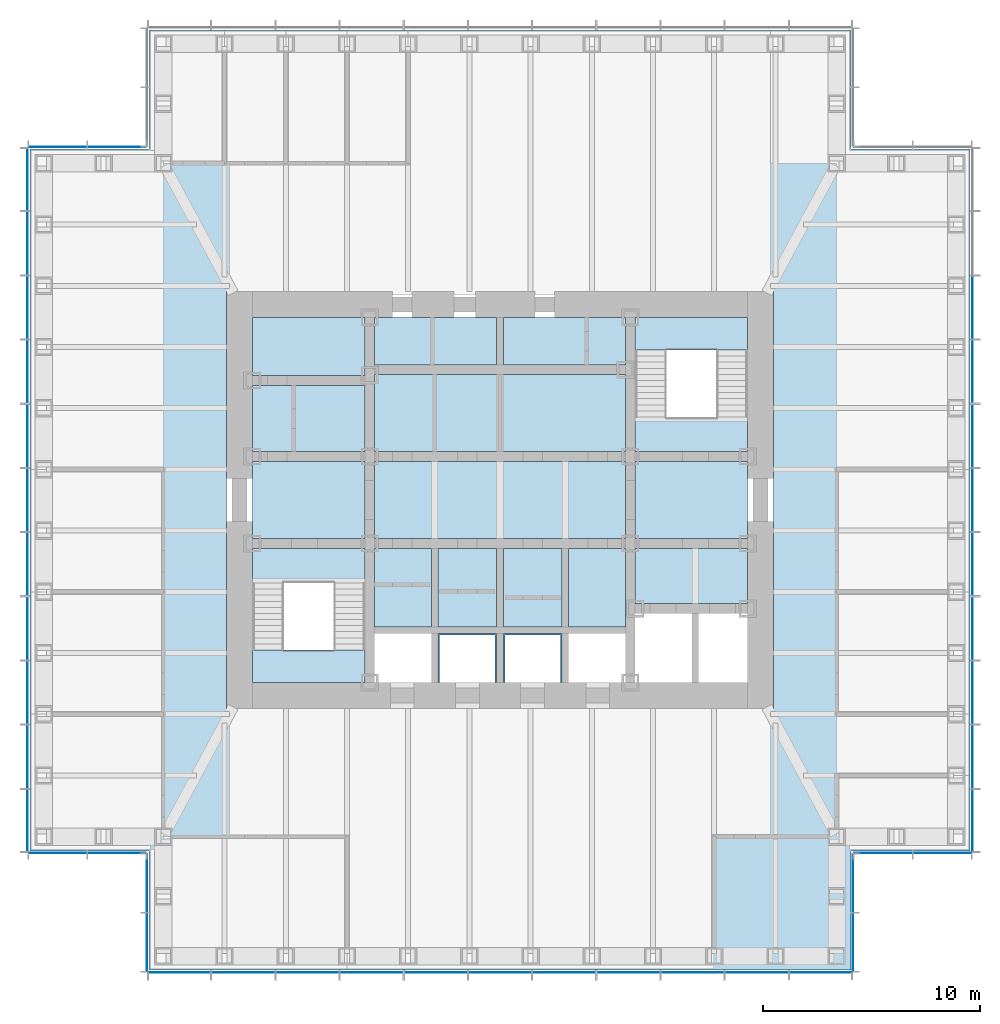
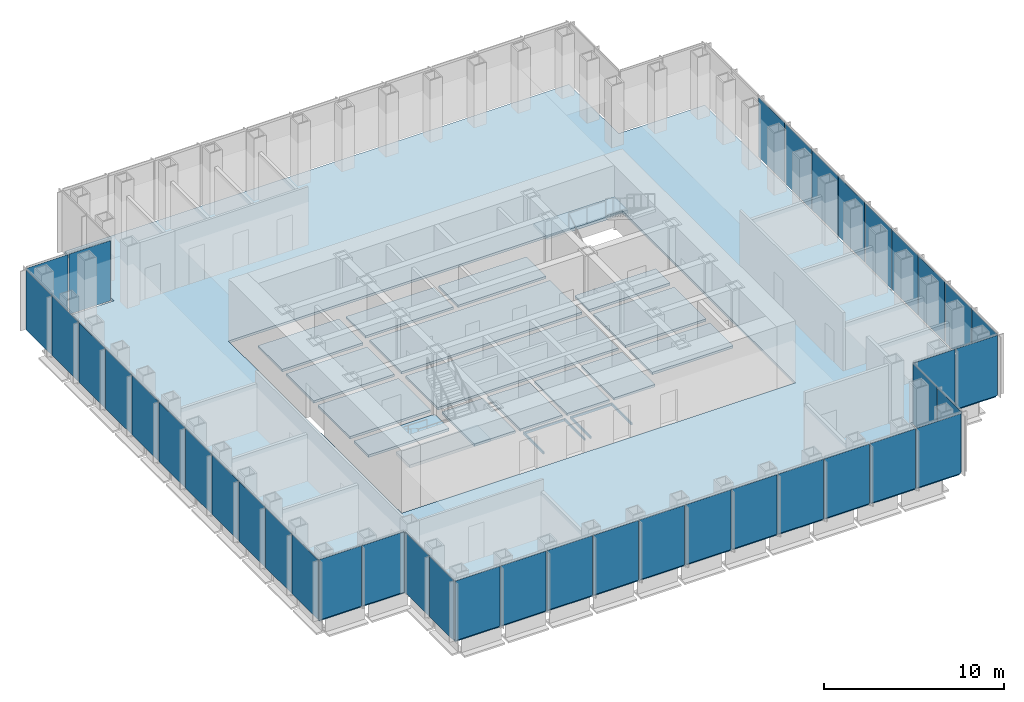
# One storey, part 7 of 16: 41 plates, 20 slabs, 10 elements without a shape of their own.
"""IFC4 building model written with IfcOpenShell, lengths in metres."""

import ifcopenshell
import ifcopenshell.guid

model = None  # the IFC model being written
_history = None  # IfcOwnerHistory: only IFC2X3 demands one
_inside = {}  # id of a spatial element -> (the spatial element, [elements in it])
_under = {}  # id of a project, library or spatial element -> (it, [spatial elements below it])
_declared = {}  # id of a project -> (the project, [libraries it declares])
_typed = {}  # id of a type object -> (the type object, [elements of that type])
_made_of = {}  # id of a material, layer set ... -> (it, [elements and type objects made of it])


def new_model(schema):
    """Start an empty IFC model of exactly this schema.

    Asked for "IFC4X3", IfcOpenShell would pick the latest addendum, in which some entities
    have other attributes; the version numbers below select the first issue.
    IFC2X3 requires an IfcOwnerHistory on every rooted entity: one is made here for all.
    """
    global model, _history
    if schema == "IFC4X3":
        model = ifcopenshell.file(schema_version=(4, 3, 0, 0))
    else:
        model = ifcopenshell.file(schema=schema)
    _inside.clear()
    _under.clear()
    _declared.clear()
    _typed.clear()
    _made_of.clear()
    _history = None
    if model.schema == "IFC2X3":
        org = make("IfcOrganization", Name="unknown")
        user = make(
            "IfcPersonAndOrganization",
            ThePerson=make("IfcPerson", FamilyName="unknown"),
            TheOrganization=org,
        )
        app = make(
            "IfcApplication",
            ApplicationDeveloper=org,
            Version="unknown",
            ApplicationFullName="unknown",
            ApplicationIdentifier="unknown",
        )
        _history = make(
            "IfcOwnerHistory",
            OwningUser=user,
            OwningApplication=app,
            ChangeAction="ADDED",
            CreationDate=0,
        )
    return model


def make(cls, **values):
    """One entity of the class cls with the attributes given. An attribute that is None is left unset."""
    return model.create_entity(
        cls, **{name: value for name, value in values.items() if value is not None}
    )


def rooted(cls, **values):
    """An entity with a GlobalId (a new one), such as an element, a storey or a relation."""
    return make(cls, GlobalId=ifcopenshell.guid.new(), OwnerHistory=_history, **values)


def si_unit(unit_type, name, prefix=None):
    """IfcSIUnit, for example si_unit("LENGTHUNIT", "METRE", prefix="MILLI")."""
    return make("IfcSIUnit", UnitType=unit_type, Prefix=prefix, Name=name)


def assignment(units):
    """IfcUnitAssignment: the units of a project."""
    return None if units is None else make("IfcUnitAssignment", Units=units)


def point(xyz):
    """IfcCartesianPoint."""
    return None if xyz is None else make("IfcCartesianPoint", Coordinates=xyz)


def direction(xyz):
    """IfcDirection."""
    return None if xyz is None else make("IfcDirection", DirectionRatios=xyz)


def frame(location, z_axis=None, x_axis=None):
    """IfcAxis2Placement3D, a coordinate frame: its origin and axes. An axis left out is left unset."""
    return make(
        "IfcAxis2Placement3D",
        Location=point(location),
        Axis=direction(z_axis),
        RefDirection=direction(x_axis),
    )


def frame_2d(location, x_axis=None):
    """IfcAxis2Placement2D, a coordinate frame in the plane: its origin and x axis."""
    return make(
        "IfcAxis2Placement2D", Location=point(location), RefDirection=direction(x_axis)
    )


def origin():
    """The frame at (0, 0, 0) with its axes left unset."""
    return frame((0.0, 0.0, 0.0))


def origin_2d():
    """The frame at (0, 0) in the plane with its x axis left unset."""
    return frame_2d((0.0, 0.0))


def place(relative_to, where):
    """IfcLocalPlacement: puts the frame where relative to a parent placement (None: the world)."""
    return make(
        "IfcLocalPlacement", PlacementRelTo=relative_to, RelativePlacement=where
    )


def context(
    kind, dimensions, precision=None, world=None, true_north=None, identifier=None
):
    """IfcGeometricRepresentationContext, for example the 3D "Model" context."""
    return make(
        "IfcGeometricRepresentationContext",
        ContextIdentifier=identifier,
        ContextType=kind,
        CoordinateSpaceDimension=dimensions,
        Precision=precision,
        WorldCoordinateSystem=world,
        TrueNorth=true_north,
    )


def subcontext(parent, identifier, kind, view, scale=None):
    """IfcGeometricRepresentationSubContext, for example "Body" below "Model"."""
    return make(
        "IfcGeometricRepresentationSubContext",
        ContextIdentifier=identifier,
        ContextType=kind,
        ParentContext=parent,
        TargetScale=scale,
        TargetView=view,
    )


def project(units=None, contexts=None):
    """IfcProject with its units and contexts."""
    return rooted(
        "IfcProject",
        Name="project",
        RepresentationContexts=contexts,
        UnitsInContext=assignment(units),
    )


def spatial(cls, under=None, at=None, **own):
    """A site, building, storey or space (cls), placed at a placement, below another one or the project."""
    s = rooted(cls, ObjectPlacement=at, **own)
    if under is not None:
        _under.setdefault(under.id(), (under, []))[1].append(s)
    return s


def polyline(points):
    """IfcPolyline through the points."""
    return make("IfcPolyline", Points=[point(p) for p in points])


def profile(cls, at=None, kind="AREA", **sizes):
    """A parametric profile (cls). Its sizes go by their IFC names, for example OverallWidth=200.0."""
    return make(cls, ProfileType=kind, Position=at, **sizes)


def rectangle(**sizes):
    """IfcRectangleProfileDef."""
    return profile("IfcRectangleProfileDef", **sizes)


def outline(outer, holes=None, kind="AREA"):
    """IfcArbitraryClosedProfileDef: a profile drawn as a closed curve; with holes, ...WithVoids."""
    if holes is None:
        return make("IfcArbitraryClosedProfileDef", ProfileType=kind, OuterCurve=outer)
    return make(
        "IfcArbitraryProfileDefWithVoids",
        ProfileType=kind,
        OuterCurve=outer,
        InnerCurves=holes,
    )


def extrude(swept, where, along, depth):
    """IfcExtrudedAreaSolid: the profile swept, set in the frame where, extruded along a direction by depth."""
    return make(
        "IfcExtrudedAreaSolid",
        SweptArea=swept,
        Position=where,
        ExtrudedDirection=direction(along),
        Depth=depth,
    )


def shape(context_of_items, identifier, shape_type, items):
    """IfcShapeRepresentation: the items that make up one representation, for example the "Body"."""
    return make(
        "IfcShapeRepresentation",
        ContextOfItems=context_of_items,
        RepresentationIdentifier=identifier,
        RepresentationType=shape_type,
        Items=items,
    )


def material(Name=None, Category=None):
    """IfcMaterial."""
    return make("IfcMaterial", Name=Name, Category=Category)


def layer(
    of_material, thickness, ventilated=None, Name=None, Category=None, Priority=None
):
    """IfcMaterialLayer: one layer of a wall or slab, of a material (None: an air gap)."""
    return make(
        "IfcMaterialLayer",
        Material=of_material,
        LayerThickness=thickness,
        IsVentilated=ventilated,
        Name=Name,
        Category=Category,
        Priority=Priority,
    )


def layer_set(layers, Name=None):
    """IfcMaterialLayerSet."""
    return make("IfcMaterialLayerSet", MaterialLayers=layers, LayerSetName=Name)


def made_of(thing, what):
    """Note that an element or type object is made of a material, layer set ...; save() writes the relation."""
    if what is not None:
        _made_of.setdefault(what.id(), (what, []))[1].append(thing)
    return thing


def type_object(cls, material=None, **own):
    """A type object (cls), such as IfcWallType, which elements share."""
    return made_of(rooted(cls, **own), material)


def element(
    cls,
    number,
    at=None,
    inside=None,
    cuts=None,
    type_object=None,
    material=None,
    context=None,
    identifier="Body",
    shape_type=None,
    held_by="IfcProductDefinitionShape",
    body=None,
    shapes=None,
    **own,
):
    """One element of the class cls, such as IfcWall. Its Tag is "e" and its number.

    at: its placement. inside: the storey or other place that contains it. cuts: it is an
    opening in that element (IfcRelVoidsElement). A single representation is given by context,
    identifier, shape_type and body (its items); several are given by shapes. held_by: the class
    of the entity that holds the representations. save() writes the other relations.
    """
    e = rooted(cls, Tag="e%d" % number, ObjectPlacement=at, **own)
    if body is not None:
        shapes = [shape(context, identifier, shape_type, body)]
    if shapes is not None:
        e.Representation = make(held_by, Representations=shapes)
    if inside is not None:
        _inside.setdefault(inside.id(), (inside, []))[1].append(e)
    if cuts is not None:
        rooted(
            "IfcRelVoidsElement", RelatingBuildingElement=cuts, RelatedOpeningElement=e
        )
    if type_object is not None:
        _typed.setdefault(type_object.id(), (type_object, []))[1].append(e)
    return made_of(e, material)


def aggregate(whole, parts):
    """IfcRelAggregates: a whole, such as a stair, and the parts it consists of."""
    return rooted("IfcRelAggregates", RelatingObject=whole, RelatedObjects=parts)


def save(model, path):
    """Write the relations noted so far, then the file.

    IfcRelAggregates (storeys below a building ...), IfcRelContainedInSpatialStructure (elements
    in a storey), IfcRelDefinesByType, IfcRelAssociatesMaterial and IfcRelDeclares: one each for
    every whole, place, type object, material and project.
    """
    for whole, parts in _under.values():
        aggregate(whole, parts)
    for where, things in _inside.values():
        rooted(
            "IfcRelContainedInSpatialStructure",
            RelatedElements=things,
            RelatingStructure=where,
        )
    for kind, things in _typed.values():
        rooted("IfcRelDefinesByType", RelatedObjects=things, RelatingType=kind)
    for what, things in _made_of.values():
        rooted("IfcRelAssociatesMaterial", RelatedObjects=things, RelatingMaterial=what)
    for by, libraries in _declared.values():
        rooted("IfcRelDeclares", RelatingContext=by, RelatedDefinitions=libraries)
    model.write(path)


model = new_model("IFC4")

# Units and contexts
model_context = context("Model", 3, precision=1e-05, world=origin(), true_north=direction((0.0, 1.0)))
body_context = subcontext(model_context, "Body", "Model", "MODEL_VIEW")
ifc_project = project(units=[si_unit("LENGTHUNIT", "METRE"), si_unit("AREAUNIT", "SQUARE_METRE"), si_unit("VOLUMEUNIT", "CUBIC_METRE"), si_unit("PLANEANGLEUNIT", "RADIAN"), si_unit("MASSUNIT", "GRAM", prefix="KILO")], contexts=[model_context])

# Site, building, storey
site_placement = place(None, origin())
site = spatial("IfcSite", under=ifc_project, at=site_placement, CompositionType="ELEMENT")
building_placement = place(site_placement, origin())
building = spatial("IfcBuilding", under=site, at=building_placement, Name="Daluyong Arena Tower", CompositionType="ELEMENT")
storey_placement = place(building_placement, frame((0.0, 0.0, 240.10009765625)))
storey = spatial("IfcBuildingStorey", under=building, at=storey_placement, Name="L54", CompositionType="ELEMENT", Elevation=240.10009765625)

# Curtain wall, plates
ifc_material_1 = material(Name="Bronze anodised aluminium and glass", Category="aluminium")
curtain_wall_type_1 = type_object("IfcCurtainWallType", Name="Curtain wall CW3", PredefinedType="USERDEFINED", material=ifc_material_1)
curtain_wall_1_placement = place(storey_placement, origin())
curtain_wall_1 = element("IfcCurtainWall", 1, at=curtain_wall_1_placement, inside=storey, type_object=curtain_wall_type_1, Name="curtain wall L54 S", ObjectType="UNITISED CURTAIN WALL", PredefinedType="USERDEFINED")
ifc_material_2 = material(Name="Tinted double glazed unit", Category="glass")
ifc_layer_1 = layer(ifc_material_2, 0.030029296875)
ifc_layer_set_1 = layer_set([ifc_layer_1], Name="Tinted double glazed unit")
plate_type_1 = type_object("IfcPlateType", Name="CW3 panel 30", PredefinedType="CURTAIN_PANEL", material=ifc_layer_set_1)
plate_1_placement = place(storey_placement, frame((41.244873046875, 58.25, 0.0), z_axis=(0.0, 0.0, 1.0), x_axis=(1.0, 0.0, 0.0)))
plate_1 = element("IfcPlate", 2, at=plate_1_placement, type_object=plate_type_1, Name="curtain wall L54 S panel 1", PredefinedType="CURTAIN_PANEL", context=body_context, shape_type="SweptSolid", body=[
    extrude(rectangle(XDim=2.849609375, YDim=0.030029296875, at=origin_2d()), origin(), (0.0, 0.0, 1.0), 4.0400390625),
])
plate_2_placement = place(storey_placement, frame((44.181884765625, 58.25, 0.0), z_axis=(0.0, 0.0, 1.0), x_axis=(1.0, 0.0, 0.0)))
plate_2 = element("IfcPlate", 3, at=plate_2_placement, type_object=plate_type_1, Name="curtain wall L54 S panel 2", PredefinedType="CURTAIN_PANEL", context=body_context, shape_type="SweptSolid", body=[
    extrude(rectangle(XDim=2.884521484375, YDim=0.030029296875, at=origin_2d()), origin(), (0.0, 0.0, 1.0), 4.0400390625),
])
plate_3_placement = place(storey_placement, frame((47.136474609375, 58.25, 0.0), z_axis=(0.0, 0.0, 1.0), x_axis=(1.0, 0.0, 0.0)))
plate_3 = element("IfcPlate", 4, at=plate_3_placement, type_object=plate_type_1, Name="curtain wall L54 S panel 3", PredefinedType="CURTAIN_PANEL", context=body_context, shape_type="SweptSolid", body=[
    extrude(rectangle(XDim=2.884521484375, YDim=0.030029296875, at=origin_2d()), origin(), (0.0, 0.0, 1.0), 4.0400390625),
])
plate_4_placement = place(storey_placement, frame((50.0908203125, 58.25, 0.0), z_axis=(0.0, 0.0, 1.0), x_axis=(1.0, 0.0, 0.0)))
plate_4 = element("IfcPlate", 5, at=plate_4_placement, type_object=plate_type_1, Name="curtain wall L54 S panel 4", PredefinedType="CURTAIN_PANEL", context=body_context, shape_type="SweptSolid", body=[
    extrude(rectangle(XDim=2.884521484375, YDim=0.030029296875, at=origin_2d()), origin(), (0.0, 0.0, 1.0), 4.0400390625),
])
plate_5_placement = place(storey_placement, frame((53.04541015625, 58.25, 0.0), z_axis=(0.0, 0.0, 1.0), x_axis=(1.0, 0.0, 0.0)))
plate_5 = element("IfcPlate", 6, at=plate_5_placement, type_object=plate_type_1, Name="curtain wall L54 S panel 5", PredefinedType="CURTAIN_PANEL", context=body_context, shape_type="SweptSolid", body=[
    extrude(rectangle(XDim=2.884521484375, YDim=0.030029296875, at=origin_2d()), origin(), (0.0, 0.0, 1.0), 4.0400390625),
])
plate_6_placement = place(storey_placement, frame((56.0, 58.25, 0.0), z_axis=(0.0, 0.0, 1.0), x_axis=(1.0, 0.0, 0.0)))
plate_6 = element("IfcPlate", 7, at=plate_6_placement, type_object=plate_type_1, Name="curtain wall L54 S panel 6", PredefinedType="CURTAIN_PANEL", context=body_context, shape_type="SweptSolid", body=[
    extrude(rectangle(XDim=2.884521484375, YDim=0.030029296875, at=origin_2d()), origin(), (0.0, 0.0, 1.0), 4.0400390625),
])
plate_7_placement = place(storey_placement, frame((58.95458984375, 58.25, 0.0), z_axis=(0.0, 0.0, 1.0), x_axis=(1.0, 0.0, 0.0)))
plate_7 = element("IfcPlate", 8, at=plate_7_placement, type_object=plate_type_1, Name="curtain wall L54 S panel 7", PredefinedType="CURTAIN_PANEL", context=body_context, shape_type="SweptSolid", body=[
    extrude(rectangle(XDim=2.884521484375, YDim=0.030029296875, at=origin_2d()), origin(), (0.0, 0.0, 1.0), 4.0400390625),
])
plate_8_placement = place(storey_placement, frame((61.9091796875, 58.25, 0.0), z_axis=(0.0, 0.0, 1.0), x_axis=(1.0, 0.0, 0.0)))
plate_8 = element("IfcPlate", 9, at=plate_8_placement, type_object=plate_type_1, Name="curtain wall L54 S panel 8", PredefinedType="CURTAIN_PANEL", context=body_context, shape_type="SweptSolid", body=[
    extrude(rectangle(XDim=2.884521484375, YDim=0.030029296875, at=origin_2d()), origin(), (0.0, 0.0, 1.0), 4.0400390625),
])
plate_9_placement = place(storey_placement, frame((64.863525390625, 58.25, 0.0), z_axis=(0.0, 0.0, 1.0), x_axis=(1.0, 0.0, 0.0)))
plate_9 = element("IfcPlate", 10, at=plate_9_placement, type_object=plate_type_1, Name="curtain wall L54 S panel 9", PredefinedType="CURTAIN_PANEL", context=body_context, shape_type="SweptSolid", body=[
    extrude(rectangle(XDim=2.884521484375, YDim=0.030029296875, at=origin_2d()), origin(), (0.0, 0.0, 1.0), 4.0400390625),
])
plate_10_placement = place(storey_placement, frame((67.818115234375, 58.25, 0.0), z_axis=(0.0, 0.0, 1.0), x_axis=(1.0, 0.0, 0.0)))
plate_10 = element("IfcPlate", 11, at=plate_10_placement, type_object=plate_type_1, Name="curtain wall L54 S panel 10", PredefinedType="CURTAIN_PANEL", context=body_context, shape_type="SweptSolid", body=[
    extrude(rectangle(XDim=2.884521484375, YDim=0.030029296875, at=origin_2d()), origin(), (0.0, 0.0, 1.0), 4.0400390625),
])
plate_11_placement = place(storey_placement, frame((70.755126953125, 58.25, 0.0), z_axis=(0.0, 0.0, 1.0), x_axis=(1.0, 0.0, 0.0)))
plate_11 = element("IfcPlate", 12, at=plate_11_placement, type_object=plate_type_1, Name="curtain wall L54 S panel 11", PredefinedType="CURTAIN_PANEL", context=body_context, shape_type="SweptSolid", body=[
    extrude(rectangle(XDim=2.849609375, YDim=0.030029296875, at=origin_2d()), origin(), (0.0, 0.0, 1.0), 4.0400390625),
])
aggregate(curtain_wall_1, [plate_1, plate_2, plate_3, plate_4, plate_5, plate_6, plate_7, plate_8, plate_9, plate_10, plate_11])

curtain_wall_2_placement = place(storey_placement, origin())
curtain_wall_2 = element("IfcCurtainWall", 13, at=curtain_wall_2_placement, inside=storey, type_object=curtain_wall_type_1, Name="curtain wall L54 E", ObjectType="UNITISED CURTAIN WALL", PredefinedType="USERDEFINED")
plate_12_placement = place(storey_placement, frame((77.75, 65.244873046875, 0.0), z_axis=(0.0, 0.0, 1.0), x_axis=(0.0, 1.0, 0.0)))
plate_12 = element("IfcPlate", 14, at=plate_12_placement, type_object=plate_type_1, Name="curtain wall L54 E panel 1", PredefinedType="CURTAIN_PANEL", context=body_context, shape_type="SweptSolid", body=[
    extrude(rectangle(XDim=2.849609375, YDim=0.030029296875, at=origin_2d()), origin(), (0.0, 0.0, 1.0), 4.0400390625),
])
plate_13_placement = place(storey_placement, frame((77.75, 68.181884765625, 0.0), z_axis=(0.0, 0.0, 1.0), x_axis=(0.0, 1.0, 0.0)))
plate_13 = element("IfcPlate", 15, at=plate_13_placement, type_object=plate_type_1, Name="curtain wall L54 E panel 2", PredefinedType="CURTAIN_PANEL", context=body_context, shape_type="SweptSolid", body=[
    extrude(rectangle(XDim=2.884521484375, YDim=0.030029296875, at=origin_2d()), origin(), (0.0, 0.0, 1.0), 4.0400390625),
])
plate_14_placement = place(storey_placement, frame((77.75, 71.136474609375, 0.0), z_axis=(0.0, 0.0, 1.0), x_axis=(0.0, 1.0, 0.0)))
plate_14 = element("IfcPlate", 16, at=plate_14_placement, type_object=plate_type_1, Name="curtain wall L54 E panel 3", PredefinedType="CURTAIN_PANEL", context=body_context, shape_type="SweptSolid", body=[
    extrude(rectangle(XDim=2.884521484375, YDim=0.030029296875, at=origin_2d()), origin(), (0.0, 0.0, 1.0), 4.0400390625),
])
plate_15_placement = place(storey_placement, frame((77.75, 74.0908203125, 0.0), z_axis=(0.0, 0.0, 1.0), x_axis=(0.0, 1.0, 0.0)))
plate_15 = element("IfcPlate", 17, at=plate_15_placement, type_object=plate_type_1, Name="curtain wall L54 E panel 4", PredefinedType="CURTAIN_PANEL", context=body_context, shape_type="SweptSolid", body=[
    extrude(rectangle(XDim=2.884521484375, YDim=0.030029296875, at=origin_2d()), origin(), (0.0, 0.0, 1.0), 4.0400390625),
])
plate_16_placement = place(storey_placement, frame((77.75, 77.04541015625, 0.0), z_axis=(0.0, 0.0, 1.0), x_axis=(0.0, 1.0, 0.0)))
plate_16 = element("IfcPlate", 18, at=plate_16_placement, type_object=plate_type_1, Name="curtain wall L54 E panel 5", PredefinedType="CURTAIN_PANEL", context=body_context, shape_type="SweptSolid", body=[
    extrude(rectangle(XDim=2.884521484375, YDim=0.030029296875, at=origin_2d()), origin(), (0.0, 0.0, 1.0), 4.0400390625),
])
plate_17_placement = place(storey_placement, frame((77.75, 80.0, 0.0), z_axis=(0.0, 0.0, 1.0), x_axis=(0.0, 1.0, 0.0)))
plate_17 = element("IfcPlate", 19, at=plate_17_placement, type_object=plate_type_1, Name="curtain wall L54 E panel 6", PredefinedType="CURTAIN_PANEL", context=body_context, shape_type="SweptSolid", body=[
    extrude(rectangle(XDim=2.884521484375, YDim=0.030029296875, at=origin_2d()), origin(), (0.0, 0.0, 1.0), 4.0400390625),
])
plate_18_placement = place(storey_placement, frame((77.75, 82.95458984375, 0.0), z_axis=(0.0, 0.0, 1.0), x_axis=(0.0, 1.0, 0.0)))
plate_18 = element("IfcPlate", 20, at=plate_18_placement, type_object=plate_type_1, Name="curtain wall L54 E panel 7", PredefinedType="CURTAIN_PANEL", context=body_context, shape_type="SweptSolid", body=[
    extrude(rectangle(XDim=2.884521484375, YDim=0.030029296875, at=origin_2d()), origin(), (0.0, 0.0, 1.0), 4.0400390625),
])
plate_19_placement = place(storey_placement, frame((77.75, 85.9091796875, 0.0), z_axis=(0.0, 0.0, 1.0), x_axis=(0.0, 1.0, 0.0)))
plate_19 = element("IfcPlate", 21, at=plate_19_placement, type_object=plate_type_1, Name="curtain wall L54 E panel 8", PredefinedType="CURTAIN_PANEL", context=body_context, shape_type="SweptSolid", body=[
    extrude(rectangle(XDim=2.884521484375, YDim=0.030029296875, at=origin_2d()), origin(), (0.0, 0.0, 1.0), 4.0400390625),
])
plate_20_placement = place(storey_placement, frame((77.75, 88.863525390625, 0.0), z_axis=(0.0, 0.0, 1.0), x_axis=(0.0, 1.0, 0.0)))
plate_20 = element("IfcPlate", 22, at=plate_20_placement, type_object=plate_type_1, Name="curtain wall L54 E panel 9", PredefinedType="CURTAIN_PANEL", context=body_context, shape_type="SweptSolid", body=[
    extrude(rectangle(XDim=2.884521484375, YDim=0.030029296875, at=origin_2d()), origin(), (0.0, 0.0, 1.0), 4.0400390625),
])
aggregate(curtain_wall_2, [plate_12, plate_13, plate_14, plate_15, plate_16, plate_17, plate_18, plate_19, plate_20])

curtain_wall_3_placement = place(storey_placement, origin())
curtain_wall_3 = element("IfcCurtainWall", 23, at=curtain_wall_3_placement, inside=storey, type_object=curtain_wall_type_1, Name="curtain wall L54 W", ObjectType="UNITISED CURTAIN WALL", PredefinedType="USERDEFINED")
plate_21_placement = place(storey_placement, frame((34.25, 94.755126953125, 0.0), z_axis=(0.0, 0.0, 1.0), x_axis=(0.0, -1.0, 0.0)))
plate_21 = element("IfcPlate", 24, at=plate_21_placement, type_object=plate_type_1, Name="curtain wall L54 W panel 1", PredefinedType="CURTAIN_PANEL", context=body_context, shape_type="SweptSolid", body=[
    extrude(rectangle(XDim=2.849609375, YDim=0.030029296875, at=origin_2d()), origin(), (0.0, 0.0, 1.0), 4.0400390625),
])
plate_22_placement = place(storey_placement, frame((34.25, 91.818115234375, 0.0), z_axis=(0.0, 0.0, 1.0), x_axis=(0.0, -1.0, 0.0)))
plate_22 = element("IfcPlate", 25, at=plate_22_placement, type_object=plate_type_1, Name="curtain wall L54 W panel 2", PredefinedType="CURTAIN_PANEL", context=body_context, shape_type="SweptSolid", body=[
    extrude(rectangle(XDim=2.884521484375, YDim=0.030029296875, at=origin_2d()), origin(), (0.0, 0.0, 1.0), 4.0400390625),
])
plate_23_placement = place(storey_placement, frame((34.25, 88.863525390625, 0.0), z_axis=(0.0, 0.0, 1.0), x_axis=(0.0, -1.0, 0.0)))
plate_23 = element("IfcPlate", 26, at=plate_23_placement, type_object=plate_type_1, Name="curtain wall L54 W panel 3", PredefinedType="CURTAIN_PANEL", context=body_context, shape_type="SweptSolid", body=[
    extrude(rectangle(XDim=2.884521484375, YDim=0.030029296875, at=origin_2d()), origin(), (0.0, 0.0, 1.0), 4.0400390625),
])
plate_24_placement = place(storey_placement, frame((34.25, 85.9091796875, 0.0), z_axis=(0.0, 0.0, 1.0), x_axis=(0.0, -1.0, 0.0)))
plate_24 = element("IfcPlate", 27, at=plate_24_placement, type_object=plate_type_1, Name="curtain wall L54 W panel 4", PredefinedType="CURTAIN_PANEL", context=body_context, shape_type="SweptSolid", body=[
    extrude(rectangle(XDim=2.884521484375, YDim=0.030029296875, at=origin_2d()), origin(), (0.0, 0.0, 1.0), 4.0400390625),
])
plate_25_placement = place(storey_placement, frame((34.25, 82.95458984375, 0.0), z_axis=(0.0, 0.0, 1.0), x_axis=(0.0, -1.0, 0.0)))
plate_25 = element("IfcPlate", 28, at=plate_25_placement, type_object=plate_type_1, Name="curtain wall L54 W panel 5", PredefinedType="CURTAIN_PANEL", context=body_context, shape_type="SweptSolid", body=[
    extrude(rectangle(XDim=2.884521484375, YDim=0.030029296875, at=origin_2d()), origin(), (0.0, 0.0, 1.0), 4.0400390625),
])
plate_26_placement = place(storey_placement, frame((34.25, 80.0, 0.0), z_axis=(0.0, 0.0, 1.0), x_axis=(0.0, -1.0, 0.0)))
plate_26 = element("IfcPlate", 29, at=plate_26_placement, type_object=plate_type_1, Name="curtain wall L54 W panel 6", PredefinedType="CURTAIN_PANEL", context=body_context, shape_type="SweptSolid", body=[
    extrude(rectangle(XDim=2.884521484375, YDim=0.030029296875, at=origin_2d()), origin(), (0.0, 0.0, 1.0), 4.0400390625),
])
plate_27_placement = place(storey_placement, frame((34.25, 77.04541015625, 0.0), z_axis=(0.0, 0.0, 1.0), x_axis=(0.0, -1.0, 0.0)))
plate_27 = element("IfcPlate", 30, at=plate_27_placement, type_object=plate_type_1, Name="curtain wall L54 W panel 7", PredefinedType="CURTAIN_PANEL", context=body_context, shape_type="SweptSolid", body=[
    extrude(rectangle(XDim=2.884521484375, YDim=0.030029296875, at=origin_2d()), origin(), (0.0, 0.0, 1.0), 4.0400390625),
])
plate_28_placement = place(storey_placement, frame((34.25, 74.0908203125, 0.0), z_axis=(0.0, 0.0, 1.0), x_axis=(0.0, -1.0, 0.0)))
plate_28 = element("IfcPlate", 31, at=plate_28_placement, type_object=plate_type_1, Name="curtain wall L54 W panel 8", PredefinedType="CURTAIN_PANEL", context=body_context, shape_type="SweptSolid", body=[
    extrude(rectangle(XDim=2.884521484375, YDim=0.030029296875, at=origin_2d()), origin(), (0.0, 0.0, 1.0), 4.0400390625),
])
plate_29_placement = place(storey_placement, frame((34.25, 71.136474609375, 0.0), z_axis=(0.0, 0.0, 1.0), x_axis=(0.0, -1.0, 0.0)))
plate_29 = element("IfcPlate", 32, at=plate_29_placement, type_object=plate_type_1, Name="curtain wall L54 W panel 9", PredefinedType="CURTAIN_PANEL", context=body_context, shape_type="SweptSolid", body=[
    extrude(rectangle(XDim=2.884521484375, YDim=0.030029296875, at=origin_2d()), origin(), (0.0, 0.0, 1.0), 4.0400390625),
])
plate_30_placement = place(storey_placement, frame((34.25, 68.181884765625, 0.0), z_axis=(0.0, 0.0, 1.0), x_axis=(0.0, -1.0, 0.0)))
plate_30 = element("IfcPlate", 33, at=plate_30_placement, type_object=plate_type_1, Name="curtain wall L54 W panel 10", PredefinedType="CURTAIN_PANEL", context=body_context, shape_type="SweptSolid", body=[
    extrude(rectangle(XDim=2.884521484375, YDim=0.030029296875, at=origin_2d()), origin(), (0.0, 0.0, 1.0), 4.0400390625),
])
plate_31_placement = place(storey_placement, frame((34.25, 65.244873046875, 0.0), z_axis=(0.0, 0.0, 1.0), x_axis=(0.0, -1.0, 0.0)))
plate_31 = element("IfcPlate", 34, at=plate_31_placement, type_object=plate_type_1, Name="curtain wall L54 W panel 11", PredefinedType="CURTAIN_PANEL", context=body_context, shape_type="SweptSolid", body=[
    extrude(rectangle(XDim=2.849609375, YDim=0.030029296875, at=origin_2d()), origin(), (0.0, 0.0, 1.0), 4.0400390625),
])
aggregate(curtain_wall_3, [plate_21, plate_22, plate_23, plate_24, plate_25, plate_26, plate_27, plate_28, plate_29, plate_30, plate_31])

ifc_material_3 = material(Name="Bronze anodised aluminium and glass", Category="aluminium")
curtain_wall_type_2 = type_object("IfcCurtainWallType", Name="Curtain wall CW7", PredefinedType="USERDEFINED", material=ifc_material_3)
curtain_wall_4_placement = place(storey_placement, origin())
curtain_wall_4 = element("IfcCurtainWall", 35, at=curtain_wall_4_placement, inside=storey, type_object=curtain_wall_type_2, Name="curtain wall L54 SE-E", ObjectType="UNITISED CURTAIN WALL", PredefinedType="USERDEFINED")
ifc_material_4 = material(Name="Tinted double glazed unit", Category="glass")
ifc_layer_2 = layer(ifc_material_4, 0.028076171875)
ifc_layer_set_2 = layer_set([ifc_layer_2], Name="Tinted double glazed unit")
plate_type_2 = type_object("IfcPlateType", Name="CW7 panel 28", PredefinedType="CURTAIN_PANEL", material=ifc_layer_set_2)
plate_32_placement = place(storey_placement, frame((72.25, 59.639892578125, -0.000244140625), z_axis=(0.0, 0.0, 1.0), x_axis=(0.0, 1.0, 0.0)))
plate_32 = element("IfcPlate", 36, at=plate_32_placement, type_object=plate_type_2, Name="curtain wall L54 SE-E panel 1", PredefinedType="CURTAIN_PANEL", context=body_context, shape_type="SweptSolid", body=[
    extrude(rectangle(XDim=2.659912109375, YDim=0.028076171875, at=origin_2d()), origin(), (0.0, 0.0, 1.0), 4.080078125),
])
plate_33_placement = place(storey_placement, frame((72.25, 62.360107421875, -0.000244140625), z_axis=(0.0, 0.0, 1.0), x_axis=(0.0, 1.0, 0.0)))
plate_33 = element("IfcPlate", 37, at=plate_33_placement, type_object=plate_type_2, Name="curtain wall L54 SE-E panel 2", PredefinedType="CURTAIN_PANEL", context=body_context, shape_type="SweptSolid", body=[
    extrude(rectangle(XDim=2.659912109375, YDim=0.028076171875, at=origin_2d()), origin(), (0.0, 0.0, 1.0), 4.080078125),
])
aggregate(curtain_wall_4, [plate_32, plate_33])

curtain_wall_5_placement = place(storey_placement, origin())
curtain_wall_5 = element("IfcCurtainWall", 38, at=curtain_wall_5_placement, inside=storey, type_object=curtain_wall_type_2, Name="curtain wall L54 SE-S", ObjectType="UNITISED CURTAIN WALL", PredefinedType="USERDEFINED")
plate_34_placement = place(storey_placement, frame((73.639892578125, 63.75, -0.000244140625), z_axis=(0.0, 0.0, 1.0), x_axis=(1.0, 0.0, 0.0)))
plate_34 = element("IfcPlate", 39, at=plate_34_placement, type_object=plate_type_2, Name="curtain wall L54 SE-S panel 1", PredefinedType="CURTAIN_PANEL", context=body_context, shape_type="SweptSolid", body=[
    extrude(rectangle(XDim=2.659912109375, YDim=0.028076171875, at=origin_2d()), origin(), (0.0, 0.0, 1.0), 4.080078125),
])
plate_35_placement = place(storey_placement, frame((76.360107421875, 63.75, -0.000244140625), z_axis=(0.0, 0.0, 1.0), x_axis=(1.0, 0.0, 0.0)))
plate_35 = element("IfcPlate", 40, at=plate_35_placement, type_object=plate_type_2, Name="curtain wall L54 SE-S panel 2", PredefinedType="CURTAIN_PANEL", context=body_context, shape_type="SweptSolid", body=[
    extrude(rectangle(XDim=2.659912109375, YDim=0.028076171875, at=origin_2d()), origin(), (0.0, 0.0, 1.0), 4.080078125),
])
aggregate(curtain_wall_5, [plate_34, plate_35])

curtain_wall_6_placement = place(storey_placement, origin())
curtain_wall_6 = element("IfcCurtainWall", 41, at=curtain_wall_6_placement, inside=storey, type_object=curtain_wall_type_2, Name="curtain wall L54 NW-N", ObjectType="UNITISED CURTAIN WALL", PredefinedType="USERDEFINED")
plate_36_placement = place(storey_placement, frame((38.360107421875, 96.25, -0.000244140625), z_axis=(0.0, 0.0, 1.0), x_axis=(-1.0, 0.0, 0.0)))
plate_36 = element("IfcPlate", 42, at=plate_36_placement, type_object=plate_type_2, Name="curtain wall L54 NW-N panel 1", PredefinedType="CURTAIN_PANEL", context=body_context, shape_type="SweptSolid", body=[
    extrude(rectangle(XDim=2.659912109375, YDim=0.028076171875, at=origin_2d()), origin(), (0.0, 0.0, 1.0), 4.080078125),
])
plate_37_placement = place(storey_placement, frame((35.639892578125, 96.25, -0.000244140625), z_axis=(0.0, 0.0, 1.0), x_axis=(-1.0, 0.0, 0.0)))
plate_37 = element("IfcPlate", 43, at=plate_37_placement, type_object=plate_type_2, Name="curtain wall L54 NW-N panel 2", PredefinedType="CURTAIN_PANEL", context=body_context, shape_type="SweptSolid", body=[
    extrude(rectangle(XDim=2.659912109375, YDim=0.028076171875, at=origin_2d()), origin(), (0.0, 0.0, 1.0), 4.080078125),
])
aggregate(curtain_wall_6, [plate_36, plate_37])

curtain_wall_7_placement = place(storey_placement, origin())
curtain_wall_7 = element("IfcCurtainWall", 44, at=curtain_wall_7_placement, inside=storey, type_object=curtain_wall_type_2, Name="curtain wall L54 SW-S", ObjectType="UNITISED CURTAIN WALL", PredefinedType="USERDEFINED")
plate_38_placement = place(storey_placement, frame((35.639892578125, 63.75, -0.000244140625), z_axis=(0.0, 0.0, 1.0), x_axis=(1.0, 0.0, 0.0)))
plate_38 = element("IfcPlate", 45, at=plate_38_placement, type_object=plate_type_2, Name="curtain wall L54 SW-S panel 1", PredefinedType="CURTAIN_PANEL", context=body_context, shape_type="SweptSolid", body=[
    extrude(rectangle(XDim=2.659912109375, YDim=0.028076171875, at=origin_2d()), origin(), (0.0, 0.0, 1.0), 4.080078125),
])
plate_39_placement = place(storey_placement, frame((38.360107421875, 63.75, -0.000244140625), z_axis=(0.0, 0.0, 1.0), x_axis=(1.0, 0.0, 0.0)))
plate_39 = element("IfcPlate", 46, at=plate_39_placement, type_object=plate_type_2, Name="curtain wall L54 SW-S panel 2", PredefinedType="CURTAIN_PANEL", context=body_context, shape_type="SweptSolid", body=[
    extrude(rectangle(XDim=2.659912109375, YDim=0.028076171875, at=origin_2d()), origin(), (0.0, 0.0, 1.0), 4.080078125),
])
aggregate(curtain_wall_7, [plate_38, plate_39])

curtain_wall_8_placement = place(storey_placement, origin())
curtain_wall_8 = element("IfcCurtainWall", 47, at=curtain_wall_8_placement, inside=storey, type_object=curtain_wall_type_2, Name="curtain wall L54 SW-W", ObjectType="UNITISED CURTAIN WALL", PredefinedType="USERDEFINED")
plate_40_placement = place(storey_placement, frame((39.75, 62.360107421875, -0.000244140625), z_axis=(0.0, 0.0, 1.0), x_axis=(0.0, -1.0, 0.0)))
plate_40 = element("IfcPlate", 48, at=plate_40_placement, type_object=plate_type_2, Name="curtain wall L54 SW-W panel 1", PredefinedType="CURTAIN_PANEL", context=body_context, shape_type="SweptSolid", body=[
    extrude(rectangle(XDim=2.659912109375, YDim=0.028076171875, at=origin_2d()), origin(), (0.0, 0.0, 1.0), 4.080078125),
])
plate_41_placement = place(storey_placement, frame((39.75, 59.639892578125, -0.000244140625), z_axis=(0.0, 0.0, 1.0), x_axis=(0.0, -1.0, 0.0)))
plate_41 = element("IfcPlate", 49, at=plate_41_placement, type_object=plate_type_2, Name="curtain wall L54 SW-W panel 2", PredefinedType="CURTAIN_PANEL", context=body_context, shape_type="SweptSolid", body=[
    extrude(rectangle(XDim=2.659912109375, YDim=0.028076171875, at=origin_2d()), origin(), (0.0, 0.0, 1.0), 4.080078125),
])
aggregate(curtain_wall_8, [plate_40, plate_41])

# Stair, slab
ifc_material_5 = material(Name="Concrete fc' 35 MPa", Category="concrete")
stair_type = type_object("IfcStairType", Name="Core exit stair", PredefinedType="HALF_TURN_STAIR", material=ifc_material_5)
stair_1_placement = place(storey_placement, origin())
stair_1 = element("IfcStair", 50, at=stair_1_placement, inside=storey, type_object=stair_type, Name="exit stair A L54", PredefinedType="HALF_TURN_STAIR")
ifc_material_6 = material(Name="Concrete fc' 35 MPa", Category="concrete")
ifc_layer_3 = layer(ifc_material_6, 0.199951171875)
ifc_layer_set_3 = layer_set([ifc_layer_3], Name="Concrete fc' 35 MPa")
slab_type_1 = type_object("IfcSlabType", Name="Stair landing 200", PredefinedType="LANDING", material=ifc_layer_set_3)
slab_1_placement = place(storey_placement, frame((0.0, 0.0, 1.89990234375)))
slab_1 = element("IfcSlab", 51, at=slab_1_placement, type_object=slab_type_1, Name="STA landing 1", PredefinedType="LANDING", context=body_context, shape_type="SweptSolid", body=[
    extrude(outline(polyline([(44.60009765625, 71.60009765625), (49.77490234375, 71.60009765625), (49.77490234375, 73.094970703125), (44.60009765625, 73.094970703125), (44.60009765625, 71.60009765625)])), origin(), (0.0, 0.0, 1.0), 0.199951171875),
])
aggregate(stair_1, [slab_1])

stair_2_placement = place(storey_placement, origin())
stair_2 = element("IfcStair", 52, at=stair_2_placement, inside=storey, type_object=stair_type, Name="exit stair B L54", PredefinedType="HALF_TURN_STAIR")
slab_2_placement = place(storey_placement, frame((0.0, 0.0, 1.89990234375)))
slab_2 = element("IfcSlab", 53, at=slab_2_placement, type_object=slab_type_1, Name="STB landing 1", PredefinedType="LANDING", context=body_context, shape_type="SweptSolid", body=[
    extrude(outline(polyline([(62.22509765625, 86.905029296875), (67.39990234375, 86.905029296875), (67.39990234375, 88.39990234375), (62.22509765625, 88.39990234375), (62.22509765625, 86.905029296875)])), origin(), (0.0, 0.0, 1.0), 0.199951171875),
])
aggregate(stair_2, [slab_2])

# Slabs
ifc_material_7 = material(Name="Concrete fc' 35 MPa", Category="concrete")
ifc_layer_4 = layer(ifc_material_7, 0.159912109375)
ifc_layer_set_4 = layer_set([ifc_layer_4], Name="Concrete fc' 35 MPa")
slab_type_2 = type_object("IfcSlabType", Name="Tower floor slab 160", PredefinedType="FLOOR", material=ifc_layer_set_4)
slab_3_placement = place(storey_placement, frame((0.0, 0.0, -0.16015625)))
element("IfcSlab", 54, at=slab_3_placement, inside=storey, type_object=slab_type_2, Name="floor L54 part 1", PredefinedType="FLOOR", context=body_context, shape_type="SweptSolid", body=[
    extrude(outline(polyline([(49.77490234375, 77.77490234375), (44.60009765625, 77.77490234375), (44.60009765625, 76.175048828125), (49.77490234375, 76.175048828125), (49.77490234375, 77.77490234375)])), origin(), (0.0, 0.0, 1.0), 0.16015625),
])
slab_4_placement = place(storey_placement, frame((0.0, 0.0, -0.16015625)))
element("IfcSlab", 55, at=slab_4_placement, inside=storey, type_object=slab_type_2, Name="floor L54 part 2", PredefinedType="FLOOR", context=body_context, shape_type="SweptSolid", body=[
    extrude(outline(polyline([(49.77490234375, 78.22509765625), (49.77490234375, 81.77490234375), (44.60009765625, 81.77490234375), (44.60009765625, 78.22509765625), (49.77490234375, 78.22509765625)])), origin(), (0.0, 0.0, 1.0), 0.16015625),
])
slab_5_placement = place(storey_placement, frame((0.0, 0.0, -0.16015625)))
element("IfcSlab", 56, at=slab_5_placement, inside=storey, type_object=slab_type_2, Name="floor L54 part 3", PredefinedType="FLOOR", context=body_context, shape_type="SweptSolid", body=[
    extrude(outline(polyline([(44.60009765625, 85.27490234375), (44.60009765625, 82.22509765625), (49.77490234375, 82.22509765625), (49.77490234375, 85.27490234375), (44.60009765625, 85.27490234375)])), origin(), (0.0, 0.0, 1.0), 0.16015625),
])
slab_6_placement = place(storey_placement, frame((0.0, 0.0, -0.16015625)))
element("IfcSlab", 57, at=slab_6_placement, inside=storey, type_object=slab_type_2, Name="floor L54 part 4", PredefinedType="FLOOR", context=body_context, shape_type="SweptSolid", body=[
    extrude(outline(polyline([(44.60009765625, 88.39990234375), (44.60009765625, 85.72509765625), (49.77490234375, 85.72509765625), (49.77490234375, 88.39990234375), (44.60009765625, 88.39990234375)])), origin(), (0.0, 0.0, 1.0), 0.16015625),
])
slab_7_placement = place(storey_placement, frame((0.0, 0.0, -0.16015625)))
element("IfcSlab", 58, at=slab_7_placement, inside=storey, type_object=slab_type_2, Name="floor L54 part 5", PredefinedType="FLOOR", context=body_context, shape_type="SweptSolid", body=[
    extrude(outline(polyline([(52.85009765625, 74.14990234375), (52.85009765625, 77.77490234375), (50.22509765625, 77.77490234375), (50.22509765625, 74.14990234375), (52.85009765625, 74.14990234375)])), origin(), (0.0, 0.0, 1.0), 0.16015625),
])
slab_8_placement = place(storey_placement, frame((0.0, 0.0, -0.16015625)))
element("IfcSlab", 59, at=slab_8_placement, inside=storey, type_object=slab_type_2, Name="floor L54 part 6", PredefinedType="FLOOR", context=body_context, shape_type="SweptSolid", body=[
    extrude(outline(polyline([(50.22509765625, 88.39990234375), (50.22509765625, 86.22509765625), (55.85009765625, 86.22509765625), (55.85009765625, 88.39990234375), (50.22509765625, 88.39990234375)])), origin(), (0.0, 0.0, 1.0), 0.16015625),
])
slab_9_placement = place(storey_placement, frame((0.0, 0.0, -0.16015625)))
element("IfcSlab", 60, at=slab_9_placement, inside=storey, type_object=slab_type_2, Name="floor L54 part 7", PredefinedType="FLOOR", context=body_context, shape_type="SweptSolid", body=[
    extrude(outline(polyline([(53.22509765625, 71.60009765625), (53.22509765625, 73.77490234375), (55.77490234375, 73.77490234375), (55.77490234375, 71.60009765625), (55.85009765625, 71.60009765625), (55.85009765625, 73.85009765625), (53.14990234375, 73.85009765625), (53.14990234375, 71.60009765625), (53.22509765625, 71.60009765625)])), origin(), (0.0, 0.0, 1.0), 0.16015625),
])
slab_10_placement = place(storey_placement, frame((0.0, 0.0, -0.16015625)))
element("IfcSlab", 61, at=slab_10_placement, inside=storey, type_object=slab_type_2, Name="floor L54 part 8", PredefinedType="FLOOR", context=body_context, shape_type="SweptSolid", body=[
    extrude(outline(polyline([(53.14990234375, 74.14990234375), (55.85009765625, 74.14990234375), (55.85009765625, 77.77490234375), (53.14990234375, 77.77490234375), (53.14990234375, 74.14990234375)])), origin(), (0.0, 0.0, 1.0), 0.16015625),
])
slab_11_placement = place(storey_placement, frame((0.0, 0.0, -0.16015625)))
element("IfcSlab", 62, at=slab_11_placement, inside=storey, type_object=slab_type_2, Name="floor L54 part 9", PredefinedType="FLOOR", context=body_context, shape_type="SweptSolid", body=[
    extrude(outline(polyline([(39.85009765625, 63.85009765625), (39.85009765625, 58.35009765625), (72.14990234375, 58.35009765625), (72.14990234375, 63.85009765625), (77.64990234375, 63.85009765625), (77.64990234375, 96.14990234375), (72.14990234375, 96.14990234375), (72.14990234375, 101.64990234375), (39.85009765625, 101.64990234375), (39.85009765625, 96.14990234375), (34.35009765625, 96.14990234375), (34.35009765625, 63.85009765625), (39.85009765625, 63.85009765625)]), holes=[polyline([(68.60009765625, 89.60009765625), (68.60009765625, 70.39990234375), (43.39990234375, 70.39990234375), (43.39990234375, 89.60009765625), (68.60009765625, 89.60009765625)])]), origin(), (0.0, 0.0, 1.0), 0.16015625),
])
slab_12_placement = place(storey_placement, frame((0.0, 0.0, -0.16015625)))
element("IfcSlab", 63, at=slab_12_placement, inside=storey, type_object=slab_type_2, Name="floor L54 part 10", PredefinedType="FLOOR", context=body_context, shape_type="SweptSolid", body=[
    extrude(outline(polyline([(50.22509765625, 81.77490234375), (50.22509765625, 78.22509765625), (61.77490234375, 78.22509765625), (61.77490234375, 81.77490234375), (50.22509765625, 81.77490234375)])), origin(), (0.0, 0.0, 1.0), 0.16015625),
])
slab_13_placement = place(storey_placement, frame((0.0, 0.0, -0.16015625)))
element("IfcSlab", 64, at=slab_13_placement, inside=storey, type_object=slab_type_2, Name="floor L54 part 11", PredefinedType="FLOOR", context=body_context, shape_type="SweptSolid", body=[
    extrude(outline(polyline([(50.22509765625, 85.77490234375), (50.22509765625, 82.22509765625), (61.77490234375, 82.22509765625), (61.77490234375, 85.77490234375), (50.22509765625, 85.77490234375)])), origin(), (0.0, 0.0, 1.0), 0.16015625),
])
slab_14_placement = place(storey_placement, frame((0.0, 0.0, -0.16015625)))
element("IfcSlab", 65, at=slab_14_placement, inside=storey, type_object=slab_type_2, Name="floor L54 part 12", PredefinedType="FLOOR", context=body_context, shape_type="SweptSolid", body=[
    extrude(outline(polyline([(56.22509765625, 71.60009765625), (56.22509765625, 73.77490234375), (58.77490234375, 73.77490234375), (58.77490234375, 71.60009765625), (58.85009765625, 71.60009765625), (58.85009765625, 73.85009765625), (56.14990234375, 73.85009765625), (56.14990234375, 71.60009765625), (56.22509765625, 71.60009765625)])), origin(), (0.0, 0.0, 1.0), 0.16015625),
])
slab_15_placement = place(storey_placement, frame((0.0, 0.0, -0.16015625)))
element("IfcSlab", 66, at=slab_15_placement, inside=storey, type_object=slab_type_2, Name="floor L54 part 13", PredefinedType="FLOOR", context=body_context, shape_type="SweptSolid", body=[
    extrude(outline(polyline([(58.85009765625, 77.77490234375), (56.14990234375, 77.77490234375), (56.14990234375, 74.14990234375), (58.85009765625, 74.14990234375), (58.85009765625, 77.77490234375)])), origin(), (0.0, 0.0, 1.0), 0.16015625),
])
slab_16_placement = place(storey_placement, frame((0.0, 0.0, -0.16015625)))
element("IfcSlab", 67, at=slab_16_placement, inside=storey, type_object=slab_type_2, Name="floor L54 part 14", PredefinedType="FLOOR", context=body_context, shape_type="SweptSolid", body=[
    extrude(outline(polyline([(56.14990234375, 88.39990234375), (56.14990234375, 86.22509765625), (61.77490234375, 86.22509765625), (61.77490234375, 88.39990234375), (56.14990234375, 88.39990234375)])), origin(), (0.0, 0.0, 1.0), 0.16015625),
])
slab_17_placement = place(storey_placement, frame((0.0, 0.0, -0.16015625)))
element("IfcSlab", 68, at=slab_17_placement, inside=storey, type_object=slab_type_2, Name="floor L54 part 15", PredefinedType="FLOOR", context=body_context, shape_type="SweptSolid", body=[
    extrude(outline(polyline([(61.77490234375, 77.77490234375), (59.14990234375, 77.77490234375), (59.14990234375, 74.14990234375), (61.77490234375, 74.14990234375), (61.77490234375, 77.77490234375)])), origin(), (0.0, 0.0, 1.0), 0.16015625),
])
slab_18_placement = place(storey_placement, frame((0.0, 0.0, -0.16015625)))
element("IfcSlab", 69, at=slab_18_placement, inside=storey, type_object=slab_type_2, Name="floor L54 part 16", PredefinedType="FLOOR", context=body_context, shape_type="SweptSolid", body=[
    extrude(outline(polyline([(67.39990234375, 75.22509765625), (67.39990234375, 77.77490234375), (62.22509765625, 77.77490234375), (62.22509765625, 75.22509765625), (67.39990234375, 75.22509765625)])), origin(), (0.0, 0.0, 1.0), 0.16015625),
])
slab_19_placement = place(storey_placement, frame((0.0, 0.0, -0.16015625)))
element("IfcSlab", 70, at=slab_19_placement, inside=storey, type_object=slab_type_2, Name="floor L54 part 17", PredefinedType="FLOOR", context=body_context, shape_type="SweptSolid", body=[
    extrude(outline(polyline([(67.39990234375, 78.22509765625), (67.39990234375, 81.77490234375), (62.22509765625, 81.77490234375), (62.22509765625, 78.22509765625), (67.39990234375, 78.22509765625)])), origin(), (0.0, 0.0, 1.0), 0.16015625),
])
slab_20_placement = place(storey_placement, frame((0.0, 0.0, -0.16015625)))
element("IfcSlab", 71, at=slab_20_placement, inside=storey, type_object=slab_type_2, Name="floor L54 part 18", PredefinedType="FLOOR", context=body_context, shape_type="SweptSolid", body=[
    extrude(outline(polyline([(67.39990234375, 83.824951171875), (62.22509765625, 83.824951171875), (62.22509765625, 82.22509765625), (67.39990234375, 82.22509765625), (67.39990234375, 83.824951171875)])), origin(), (0.0, 0.0, 1.0), 0.16015625),
])

save(model, "model.ifc")
